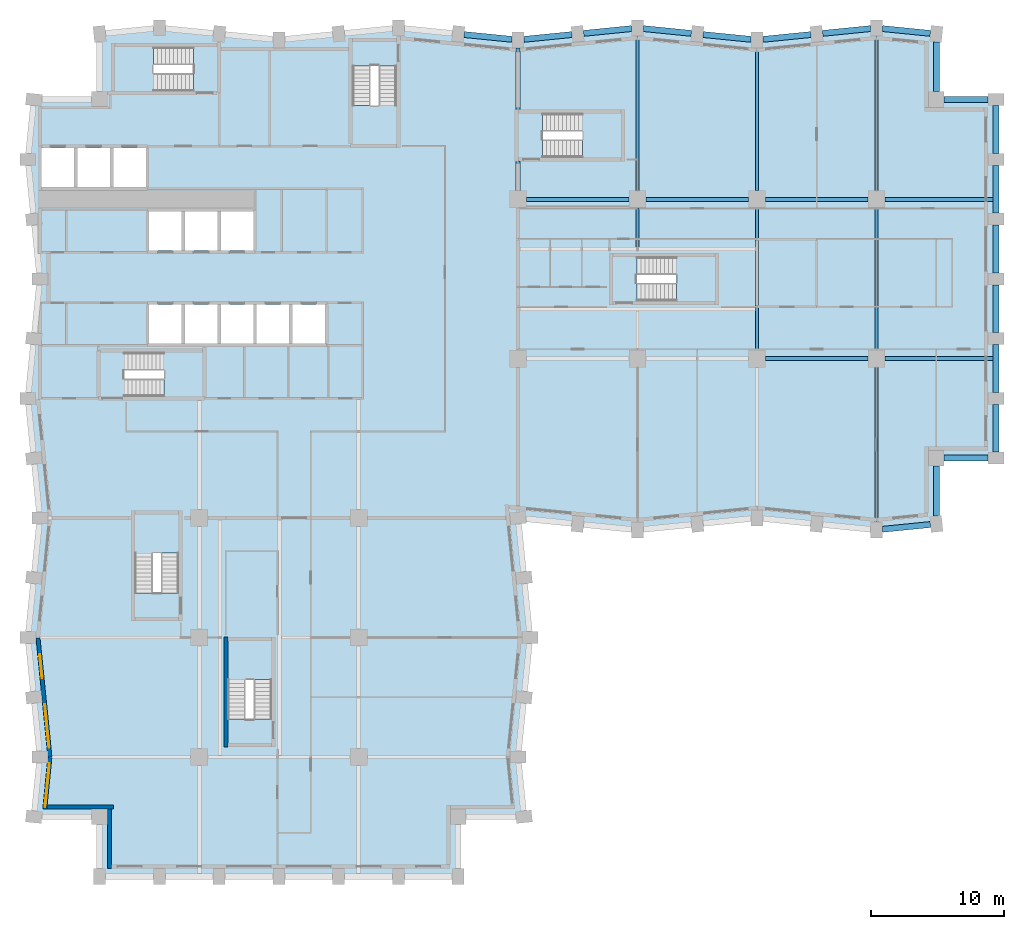
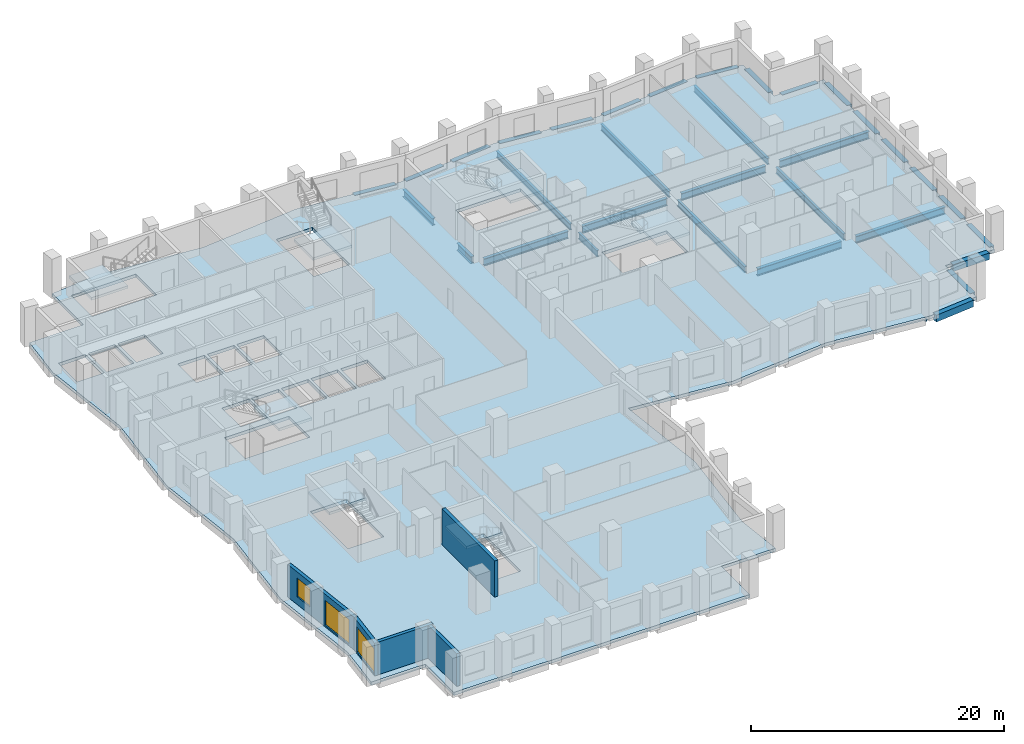
# One storey, part 2 of 11: 34 beams, 8 slabs, 5 walls, 3 windows, 3 openings, 7 elements without a shape of their own.
"""IFC4 building model written with IfcOpenShell, lengths in metres."""

from ifc_helpers import new_model, si_unit, direction, frame, frame_2d, origin, origin_2d, place, context, subcontext, project, spatial, polyline, rectangle, i_section, outline, extrude, material, layer, layer_set, material_profile, profile_set, type_object, element, fill, aggregate, save


model = new_model("IFC4")

# Units and contexts
model_context = context("Model", 3, precision=1e-05, world=origin(), true_north=direction((0.0, 1.0)))
body_context = subcontext(model_context, "Body", "Model", "MODEL_VIEW")
ifc_project = project(units=[si_unit("LENGTHUNIT", "METRE"), si_unit("AREAUNIT", "SQUARE_METRE"), si_unit("VOLUMEUNIT", "CUBIC_METRE"), si_unit("PLANEANGLEUNIT", "RADIAN"), si_unit("MASSUNIT", "GRAM", prefix="KILO")], contexts=[model_context])

# Site, building, storey
site_placement = place(None, origin())
site = spatial("IfcSite", under=ifc_project, at=site_placement, CompositionType="ELEMENT")
building_placement = place(site_placement, origin())
building = spatial("IfcBuilding", under=site, at=building_placement, Name="Brondeck Convention Tower", CompositionType="ELEMENT")
storey_placement = place(building_placement, frame((0.0, 0.0, 96.10009765625)))
storey = spatial("IfcBuildingStorey", under=building, at=storey_placement, Name="L22", CompositionType="ELEMENT", Elevation=96.10009765625)

# Beams
ifc_material_1 = material(Name="Steel S355", Category="steel")
ifc_material_profile_1 = material_profile(ifc_material_1, i_section(OverallWidth=0.219970703125, OverallDepth=0.60009765625, WebThickness=0.011962890625, FlangeThickness=0.01904296875, FilletRadius=0.02392578125, at=origin_2d()), Name="IPE 600")
ifc_profile_set_1 = profile_set([ifc_material_profile_1], Name="Steel S355")
beam_type_1 = type_object("IfcBeamType", Name="Floor beam IPE 600", PredefinedType="BEAM", material=ifc_profile_set_1)
beam_1_placement = place(storey_placement, frame((45.0, 51.64990234375, -0.60009765625), z_axis=(0.0, 1.0, 0.0), x_axis=(-1.0, 0.0, 0.0)))
element("IfcBeam", 1, at=beam_1_placement, inside=storey, type_object=beam_type_1, Name="STR-FB-L22-002", PredefinedType="BEAM", context=body_context, shape_type="SweptSolid", body=[
    extrude(i_section(OverallWidth=0.219970703125, OverallDepth=0.60009765625, WebThickness=0.011962890625, FlangeThickness=0.01904296875, FilletRadius=0.02392578125, at=origin_2d()), origin(), (0.0, 0.0, 1.0), 11.650146484375),
])
beam_2_placement = place(storey_placement, frame((54.0, 39.64990234375, -0.60009765625), z_axis=(0.0, 1.0, 0.0), x_axis=(-1.0, 0.0, 0.0)))
element("IfcBeam", 2, at=beam_2_placement, inside=storey, type_object=beam_type_1, Name="STR-FB-L22-004", PredefinedType="BEAM", context=body_context, shape_type="SweptSolid", body=[
    extrude(i_section(OverallWidth=0.219970703125, OverallDepth=0.60009765625, WebThickness=0.011962890625, FlangeThickness=0.01904296875, FilletRadius=0.02392578125, at=origin_2d()), origin(), (0.0, 0.0, 1.0), 10.7001953125),
])
beam_3_placement = place(storey_placement, frame((54.0, 51.64990234375, -0.60009765625), z_axis=(0.0, 1.0, 0.0), x_axis=(-1.0, 0.0, 0.0)))
element("IfcBeam", 3, at=beam_3_placement, inside=storey, type_object=beam_type_1, Name="STR-FB-L22-005", PredefinedType="BEAM", context=body_context, shape_type="SweptSolid", body=[
    extrude(i_section(OverallWidth=0.219970703125, OverallDepth=0.60009765625, WebThickness=0.011962890625, FlangeThickness=0.01904296875, FilletRadius=0.02392578125, at=origin_2d()), origin(), (0.0, 0.0, 1.0), 10.75),
])
beam_4_placement = place(storey_placement, frame((63.0, 26.699951171875, -0.60009765625), z_axis=(0.0, 1.0, 0.0), x_axis=(-1.0, 0.0, 0.0)))
element("IfcBeam", 4, at=beam_4_placement, inside=storey, type_object=beam_type_1, Name="STR-FB-L22-006", PredefinedType="BEAM", context=body_context, shape_type="SweptSolid", body=[
    extrude(i_section(OverallWidth=0.219970703125, OverallDepth=0.60009765625, WebThickness=0.011962890625, FlangeThickness=0.01904296875, FilletRadius=0.02392578125, at=origin_2d()), origin(), (0.0, 0.0, 1.0), 11.650146484375),
])
beam_5_placement = place(storey_placement, frame((63.0, 39.64990234375, -0.60009765625), z_axis=(0.0, 1.0, 0.0), x_axis=(-1.0, 0.0, 0.0)))
element("IfcBeam", 5, at=beam_5_placement, inside=storey, type_object=beam_type_1, Name="STR-FB-L22-007", PredefinedType="BEAM", context=body_context, shape_type="SweptSolid", body=[
    extrude(i_section(OverallWidth=0.219970703125, OverallDepth=0.60009765625, WebThickness=0.011962890625, FlangeThickness=0.01904296875, FilletRadius=0.02392578125, at=origin_2d()), origin(), (0.0, 0.0, 1.0), 10.7001953125),
])
beam_6_placement = place(storey_placement, frame((63.0, 51.64990234375, -0.60009765625), z_axis=(0.0, 1.0, 0.0), x_axis=(-1.0, 0.0, 0.0)))
element("IfcBeam", 6, at=beam_6_placement, inside=storey, type_object=beam_type_1, Name="STR-FB-L22-008", PredefinedType="BEAM", context=body_context, shape_type="SweptSolid", body=[
    extrude(i_section(OverallWidth=0.219970703125, OverallDepth=0.60009765625, WebThickness=0.011962890625, FlangeThickness=0.01904296875, FilletRadius=0.02392578125, at=origin_2d()), origin(), (0.0, 0.0, 1.0), 11.650146484375),
])
beam_7_placement = place(storey_placement, frame((45.0, 47.39990234375, -0.60009765625), z_axis=(0.0, 1.0, 0.0), x_axis=(-1.0, 0.0, 0.0)))
element("IfcBeam", 7, at=beam_7_placement, inside=storey, type_object=beam_type_1, Name="STR-FB-L22-015", PredefinedType="BEAM", context=body_context, shape_type="SweptSolid", body=[
    extrude(i_section(OverallWidth=0.219970703125, OverallDepth=0.60009765625, WebThickness=0.011962890625, FlangeThickness=0.01904296875, FilletRadius=0.02392578125, at=origin_2d()), origin(), (0.0, 0.0, 1.0), 2.9501953125),
])
ifc_material_profile_2 = material_profile(ifc_material_1, i_section(OverallWidth=0.300048828125, OverallDepth=0.699951171875, WebThickness=0.01708984375, FlangeThickness=0.031982421875, FilletRadius=0.027099609375, at=origin_2d()), Name="HEB 700")
ifc_profile_set_2 = profile_set([ifc_material_profile_2], Name="Steel S355")
beam_type_2 = type_object("IfcBeamType", Name="Girder HEB 700", PredefinedType="BEAM", material=ifc_profile_set_2)
beam_8_placement = place(storey_placement, frame((54.64990234375, 39.0, -0.650146484375), z_axis=(1.0, 0.0, 0.0), x_axis=(0.0, 1.0, 0.0)))
element("IfcBeam", 8, at=beam_8_placement, inside=storey, type_object=beam_type_2, Name="STR-GR-L22-003", PredefinedType="BEAM", context=body_context, shape_type="SweptSolid", body=[
    extrude(i_section(OverallWidth=0.300048828125, OverallDepth=0.699951171875, WebThickness=0.01708984375, FlangeThickness=0.031982421875, FilletRadius=0.027099609375, at=origin_2d()), origin(), (0.0, 0.0, 1.0), 7.7001953125),
])
beam_9_placement = place(storey_placement, frame((63.64990234375, 39.0, -0.650146484375), z_axis=(1.0, 0.0, 0.0), x_axis=(0.0, 1.0, 0.0)))
element("IfcBeam", 9, at=beam_9_placement, inside=storey, type_object=beam_type_2, Name="STR-GR-L22-004", PredefinedType="BEAM", context=body_context, shape_type="SweptSolid", body=[
    extrude(i_section(OverallWidth=0.300048828125, OverallDepth=0.699951171875, WebThickness=0.01708984375, FlangeThickness=0.031982421875, FilletRadius=0.027099609375, at=origin_2d()), origin(), (0.0, 0.0, 1.0), 8.125),
])
for number, where, z_axis, x_axis, name in (
    (10, (36.64990234375, 51.0, -0.650146484375), (1.0, 0.0, 0.0), (0.0, 1.0, 0.0), "STR-GR-L22-005"),
    (11, (45.64990234375, 51.0, -0.650146484375), (1.0, 0.0, 0.0), (0.0, 1.0, 0.0), "STR-GR-L22-006"),
    (12, (54.64990234375, 51.0, -0.650146484375), (1.0, 0.0, 0.0), (0.0, 1.0, 0.0), "STR-GR-L22-007"),
):
    element("IfcBeam", number, at=place(storey_placement, frame(where, z_axis=z_axis, x_axis=x_axis)), inside=storey, type_object=beam_type_2, Name=name, PredefinedType="BEAM", context=body_context, shape_type="SweptSolid", body=[
        extrude(i_section(OverallWidth=0.300048828125, OverallDepth=0.699951171875, WebThickness=0.01708984375, FlangeThickness=0.031982421875, FilletRadius=0.027099609375, at=origin_2d()), origin(), (0.0, 0.0, 1.0), 7.7001953125),
    ])
beam_10_placement = place(storey_placement, frame((63.64990234375, 51.0, -0.650146484375), z_axis=(1.0, 0.0, 0.0), x_axis=(0.0, 1.0, 0.0)))
element("IfcBeam", 13, at=beam_10_placement, inside=storey, type_object=beam_type_2, Name="STR-GR-L22-008", PredefinedType="BEAM", context=body_context, shape_type="SweptSolid", body=[
    extrude(i_section(OverallWidth=0.300048828125, OverallDepth=0.699951171875, WebThickness=0.01708984375, FlangeThickness=0.031982421875, FilletRadius=0.027099609375, at=origin_2d()), origin(), (0.0, 0.0, 1.0), 8.125),
])
beam_11_placement = place(storey_placement, frame((36.0, 51.64990234375, -0.650146484375), z_axis=(0.0, 1.0, 0.0), x_axis=(-1.0, 0.0, 0.0)))
element("IfcBeam", 14, at=beam_11_placement, inside=storey, type_object=beam_type_2, Name="STR-GR-L22-011", PredefinedType="BEAM", context=body_context, shape_type="SweptSolid", body=[
    extrude(i_section(OverallWidth=0.300048828125, OverallDepth=0.699951171875, WebThickness=0.01708984375, FlangeThickness=0.031982421875, FilletRadius=0.027099609375, at=origin_2d()), origin(), (0.0, 0.0, 1.0), 2.22998046875),
])
beam_12_placement = place(storey_placement, frame((36.0, 57.719970703125, -0.650146484375), z_axis=(0.0, 1.0, 0.0), x_axis=(-1.0, 0.0, 0.0)))
element("IfcBeam", 15, at=beam_12_placement, inside=storey, type_object=beam_type_2, Name="STR-GR-L22-012", PredefinedType="BEAM", context=body_context, shape_type="SweptSolid", body=[
    extrude(i_section(OverallWidth=0.300048828125, OverallDepth=0.699951171875, WebThickness=0.01708984375, FlangeThickness=0.031982421875, FilletRadius=0.027099609375, at=origin_2d()), origin(), (0.0, 0.0, 1.0), 4.679931640625),
])
ifc_material_2 = material(Name="Concrete C70/85", Category="concrete")
ifc_material_profile_3 = material_profile(ifc_material_2, rectangle(XDim=0.449951171875, YDim=0.64990234375, at=origin_2d()), Name="Precast spandrel 450x650 Concrete C70/85")
ifc_profile_set_3 = profile_set([ifc_material_profile_3], Name="Concrete C70/85")
beam_type_3 = type_object("IfcBeamType", Name="Precast spandrel 450x650 Concrete C70/85", PredefinedType="SPANDREL", material=ifc_profile_set_3)
beam_13_placement = place(storey_placement, frame((63.449951171875, 26.14501953125, -0.3251953125), z_axis=(0.995040528141, 0.099470334057, 0.0), x_axis=(-0.099470334057, 0.995040528141, 0.0)))
element("IfcBeam", 16, at=beam_13_placement, inside=storey, type_object=beam_type_3, Name="STR-SP-L22-020", PredefinedType="SPANDREL", context=body_context, shape_type="SweptSolid", body=[
    extrude(rectangle(XDim=0.449951171875, YDim=0.64990234375, at=origin_2d()), origin(), (0.0, 0.0, 1.0), 3.620361328125),
])
beam_14_placement = place(storey_placement, frame((67.5, 27.153076171875, -0.3251953125), z_axis=(0.0, 1.0, 0.0), x_axis=(-1.0, 0.0, 0.0)))
element("IfcBeam", 17, at=beam_14_placement, inside=storey, type_object=beam_type_3, Name="STR-SP-L22-021", PredefinedType="SPANDREL", context=body_context, shape_type="SweptSolid", body=[
    extrude(rectangle(XDim=0.449951171875, YDim=0.64990234375, at=origin_2d()), origin(), (0.0, 0.0, 1.0), 3.746826171875),
])
beam_15_placement = place(storey_placement, frame((68.10009765625, 31.5, -0.3251953125), z_axis=(1.0, 0.0, 0.0), x_axis=(0.0, 1.0, 0.0)))
element("IfcBeam", 18, at=beam_15_placement, inside=storey, type_object=beam_type_3, Name="STR-SP-L22-022", PredefinedType="SPANDREL", context=body_context, shape_type="SweptSolid", body=[
    extrude(rectangle(XDim=0.449951171875, YDim=0.64990234375, at=origin_2d()), origin(), (0.0, 0.0, 1.0), 3.2998046875),
])
for number, where, z_axis, x_axis, name in (
    (19, (72.0, 31.949951171875, -0.3251953125), (0.0, 1.0, 0.0), (-1.0, 0.0, 0.0), "STR-SP-L22-023"),
    (20, (72.0, 36.449951171875, -0.3251953125), (0.0, 1.0, 0.0), (-1.0, 0.0, 0.0), "STR-SP-L22-024"),
    (21, (72.0, 40.949951171875, -0.3251953125), (0.0, 1.0, 0.0), (-1.0, 0.0, 0.0), "STR-SP-L22-025"),
    (22, (72.0, 45.449951171875, -0.3251953125), (0.0, 1.0, 0.0), (-1.0, 0.0, 0.0), "STR-SP-L22-026"),
    (23, (72.0, 49.949951171875, -0.3251953125), (0.0, 1.0, 0.0), (-1.0, 0.0, 0.0), "STR-SP-L22-027"),
    (24, (72.0, 54.449951171875, -0.3251953125), (0.0, 1.0, 0.0), (-1.0, 0.0, 0.0), "STR-SP-L22-028"),
):
    element("IfcBeam", number, at=place(storey_placement, frame(where, z_axis=z_axis, x_axis=x_axis)), inside=storey, type_object=beam_type_3, Name=name, PredefinedType="SPANDREL", context=body_context, shape_type="SweptSolid", body=[
        extrude(rectangle(XDim=0.449951171875, YDim=0.64990234375, at=origin_2d()), origin(), (0.0, 0.0, 1.0), 3.60009765625),
    ])
beam_16_placement = place(storey_placement, frame((71.39990234375, 58.5, -0.3251953125), z_axis=(-1.0, 0.0, 0.0), x_axis=(0.0, -1.0, 0.0)))
element("IfcBeam", 25, at=beam_16_placement, inside=storey, type_object=beam_type_3, Name="STR-SP-L22-029", PredefinedType="SPANDREL", context=body_context, shape_type="SweptSolid", body=[
    extrude(rectangle(XDim=0.449951171875, YDim=0.64990234375, at=origin_2d()), origin(), (0.0, 0.0, 1.0), 3.2998046875),
])
beam_17_placement = place(storey_placement, frame((67.5, 59.10009765625, -0.3251953125), z_axis=(0.0, 1.0, 0.0), x_axis=(-1.0, 0.0, 0.0)))
element("IfcBeam", 26, at=beam_17_placement, inside=storey, type_object=beam_type_3, Name="STR-SP-L22-030", PredefinedType="SPANDREL", context=body_context, shape_type="SweptSolid", body=[
    extrude(rectangle(XDim=0.449951171875, YDim=0.64990234375, at=origin_2d()), origin(), (0.0, 0.0, 1.0), 3.746826171875),
])
for number, where, z_axis, x_axis, name in (
    (27, (67.05224609375, 63.494873046875, -0.3251953125), (-0.995040528141, 0.099470334057, 0.0), (-0.099470334057, -0.995040528141, 0.0), "STR-SP-L22-031"),
    (28, (62.550048828125, 63.85498046875, -0.3251953125), (-0.995040528141, -0.099470334057, 0.0), (0.099470334057, -0.995040528141, 0.0), "STR-SP-L22-032"),
    (29, (58.05224609375, 63.4052734375, -0.3251953125), (-0.995033851182, -0.099537103649, 0.0), (0.099537103649, -0.995033851182, 0.0), "STR-SP-L22-033"),
    (30, (53.550048828125, 63.044921875, -0.3251953125), (-0.995033851182, 0.099537103649, 0.0), (-0.099537103649, -0.995033851182, 0.0), "STR-SP-L22-034"),
    (31, (49.05224609375, 63.494873046875, -0.3251953125), (-0.995040528141, 0.099470334057, 0.0), (-0.099470334057, -0.995040528141, 0.0), "STR-SP-L22-035"),
    (32, (44.550048828125, 63.85498046875, -0.3251953125), (-0.995040528141, -0.099470334057, 0.0), (0.099470334057, -0.995040528141, 0.0), "STR-SP-L22-036"),
    (33, (40.05224609375, 63.4052734375, -0.3251953125), (-0.995033851182, -0.099537103649, 0.0), (0.099537103649, -0.995033851182, 0.0), "STR-SP-L22-037"),
    (34, (35.550048828125, 63.044921875, -0.3251953125), (-0.995033851182, 0.099537103649, 0.0), (-0.099537103649, -0.995033851182, 0.0), "STR-SP-L22-038"),
):
    element("IfcBeam", number, at=place(storey_placement, frame(where, z_axis=z_axis, x_axis=x_axis)), inside=storey, type_object=beam_type_3, Name=name, PredefinedType="SPANDREL", context=body_context, shape_type="SweptSolid", body=[
        extrude(rectangle(XDim=0.449951171875, YDim=0.64990234375, at=origin_2d()), origin(), (0.0, 0.0, 1.0), 3.620361328125),
    ])

# Slab
ifc_material_3 = material(Name="Concrete C35/45", Category="concrete")
ifc_layer_1 = layer(ifc_material_3, 0.300048828125)
ifc_layer_set_1 = layer_set([ifc_layer_1], Name="Composite floor slab 300")
slab_type_1 = type_object("IfcSlabType", Name="Composite floor slab 300", PredefinedType="FLOOR", material=ifc_layer_set_1)
slab_1_placement = place(storey_placement, frame((0.0, 0.0, -0.300048828125)))
element("IfcSlab", 35, at=slab_1_placement, inside=storey, type_object=slab_type_1, Name="STR-SL-L22", PredefinedType="FLOOR", context=body_context, shape_type="SweptSolid", body=[
    extrude(outline(polyline([(4.5, 4.5), (-0.449951171875, 4.5), (0.0, 9.0), (-0.89990234375, 18.0), (0.0, 27.0), (-0.89990234375, 36.0), (0.0, 45.0), (-0.89990234375, 54.0), (-0.449951171875, 58.5), (4.5, 58.5), (4.5, 63.449951171875), (9.0, 63.89990234375), (18.0, 63.0), (27.0, 63.89990234375), (36.0, 63.0), (45.0, 63.89990234375), (54.0, 63.0), (63.0, 63.89990234375), (67.5, 63.449951171875), (67.5, 58.5), (72.0, 58.5), (72.0, 31.5), (67.5, 31.5), (67.5, 26.550048828125), (63.0, 26.10009765625), (54.0, 27.0), (45.0, 26.10009765625), (36.0, 27.0), (36.89990234375, 18.0), (36.0, 9.0), (36.449951171875, 4.5), (31.5, 4.5), (31.5, 0.0), (4.5, 0.0), (4.5, 4.5)]), holes=[polyline([(10.447998046875, 27.248046875), (7.152099609375, 27.248046875), (7.152099609375, 21.35205078125), (10.447998046875, 21.35205078125), (10.447998046875, 27.248046875)]), polyline([(12.248046875, 36.152099609375), (12.248046875, 39.447998046875), (6.35205078125, 39.447998046875), (6.35205078125, 36.152099609375), (12.248046875, 36.152099609375)]), polyline([(10.675048828125, 40.125), (10.675048828125, 43.074951171875), (8.22509765625, 43.074951171875), (8.22509765625, 40.125), (10.675048828125, 40.125)]), polyline([(10.675048828125, 47.125), (10.675048828125, 50.074951171875), (8.22509765625, 50.074951171875), (8.22509765625, 47.125), (10.675048828125, 47.125)]), polyline([(13.375, 47.125), (13.375, 50.074951171875), (10.925048828125, 50.074951171875), (10.925048828125, 47.125), (13.375, 47.125)]), polyline([(2.574951171875, 51.925048828125), (2.574951171875, 54.875), (0.125, 54.875), (0.125, 51.925048828125), (2.574951171875, 51.925048828125)]), polyline([(5.27490234375, 51.925048828125), (5.27490234375, 54.875), (2.824951171875, 54.875), (2.824951171875, 51.925048828125), (5.27490234375, 51.925048828125)]), polyline([(5.52490234375, 51.925048828125), (7.97509765625, 51.925048828125), (7.97509765625, 54.875), (5.52490234375, 54.875), (5.52490234375, 51.925048828125)]), polyline([(11.548095703125, 62.447998046875), (5.652099609375, 62.447998046875), (5.652099609375, 59.152099609375), (11.548095703125, 59.152099609375), (11.548095703125, 62.447998046875)]), polyline([(17.447998046875, 17.748046875), (14.152099609375, 17.748046875), (14.152099609375, 11.85205078125), (17.447998046875, 11.85205078125), (17.447998046875, 17.748046875)]), polyline([(13.375, 40.125), (13.375, 43.074951171875), (10.925048828125, 43.074951171875), (10.925048828125, 40.125), (13.375, 40.125)]), polyline([(16.074951171875, 40.125), (16.074951171875, 43.074951171875), (13.625, 43.074951171875), (13.625, 40.125), (16.074951171875, 40.125)]), polyline([(18.77490234375, 40.125), (18.77490234375, 43.074951171875), (16.324951171875, 43.074951171875), (16.324951171875, 40.125), (18.77490234375, 40.125)]), polyline([(21.47509765625, 40.125), (21.47509765625, 43.074951171875), (19.02490234375, 43.074951171875), (19.02490234375, 40.125), (21.47509765625, 40.125)]), polyline([(50.847900390625, 43.35205078125), (50.847900390625, 46.64794921875), (44.951904296875, 46.64794921875), (44.951904296875, 43.35205078125), (50.847900390625, 43.35205078125)]), polyline([(16.074951171875, 47.125), (16.074951171875, 50.074951171875), (13.625, 50.074951171875), (13.625, 47.125), (16.074951171875, 47.125)]), polyline([(37.85205078125, 54.152099609375), (43.748046875, 54.152099609375), (43.748046875, 57.447998046875), (37.85205078125, 57.447998046875), (37.85205078125, 54.152099609375)]), polyline([(23.552001953125, 61.048095703125), (23.552001953125, 55.152099609375), (26.847900390625, 55.152099609375), (26.847900390625, 61.048095703125), (23.552001953125, 61.048095703125)])]), origin(), (0.0, 0.0, 1.0), 0.300048828125),
])

# Stair, slab
ifc_material_4 = material(Name="Precast concrete C50/60", Category="concrete")
stair_type = type_object("IfcStairType", Name="Core stair 22 risers 172.73 mm riser 300 mm going 1350 wide", PredefinedType="HALF_TURN_STAIR", material=ifc_material_4)
stair_1_placement = place(storey_placement, origin())
stair_1 = element("IfcStair", 36, at=stair_1_placement, inside=storey, type_object=stair_type, Name="ST-1 L22 stair", PredefinedType="HALF_TURN_STAIR")
ifc_layer_2 = layer(ifc_material_4, 0.25)
ifc_layer_set_2 = layer_set([ifc_layer_2], Name="Core stair landing 250 Precast concrete C50/60")
slab_type_2 = type_object("IfcSlabType", Name="Core stair landing 250 Precast concrete C50/60", PredefinedType="LANDING", material=ifc_layer_set_2)
slab_2_placement = place(storey_placement, frame((0.0, 0.0, 1.64990234375)))
slab_2 = element("IfcSlab", 37, at=slab_2_placement, type_object=slab_type_2, Name="ST-1 landing 1", PredefinedType="LANDING", context=body_context, shape_type="SweptSolid", body=[
    extrude(outline(polyline([(9.347900390625, 37.5), (9.35009765625, 37.5), (9.35009765625, 38.10009765625), (9.050048828125, 38.10009765625), (9.050048828125, 39.570068359375), (12.3701171875, 39.570068359375), (12.3701171875, 36.030029296875), (9.347900390625, 36.030029296875), (9.347900390625, 37.5)])), origin(), (0.0, 0.0, 1.0), 0.25),
])
aggregate(stair_1, [slab_2])

stair_2_placement = place(storey_placement, origin())
stair_2 = element("IfcStair", 38, at=stair_2_placement, inside=storey, type_object=stair_type, Name="ST-2 L22 stair", PredefinedType="HALF_TURN_STAIR")
slab_3_placement = place(storey_placement, frame((0.0, 0.0, 1.64990234375)))
slab_3 = element("IfcSlab", 39, at=slab_3_placement, type_object=slab_type_2, Name="ST-2 landing 1", PredefinedType="LANDING", context=body_context, shape_type="SweptSolid", body=[
    extrude(outline(polyline([(23.429931640625, 58.052001953125), (24.89990234375, 58.052001953125), (24.89990234375, 58.050048828125), (25.5, 58.050048828125), (25.5, 58.35009765625), (26.969970703125, 58.35009765625), (26.969970703125, 55.030029296875), (23.429931640625, 55.030029296875), (23.429931640625, 58.052001953125)])), origin(), (0.0, 0.0, 1.0), 0.25),
])
aggregate(stair_2, [slab_3])

stair_3_placement = place(storey_placement, origin())
stair_3 = element("IfcStair", 40, at=stair_3_placement, inside=storey, type_object=stair_type, Name="ST-3 L22 stair", PredefinedType="HALF_TURN_STAIR")
slab_4_placement = place(storey_placement, frame((0.0, 0.0, 1.64990234375)))
slab_4 = element("IfcSlab", 41, at=slab_4_placement, type_object=slab_type_2, Name="ST-3 landing 1", PredefinedType="LANDING", context=body_context, shape_type="SweptSolid", body=[
    extrude(outline(polyline([(8.85009765625, 60.5), (8.85009765625, 59.030029296875), (5.530029296875, 59.030029296875), (5.530029296875, 62.570068359375), (8.552001953125, 62.570068359375), (8.552001953125, 61.10009765625), (8.550048828125, 61.10009765625), (8.550048828125, 60.5), (8.85009765625, 60.5)])), origin(), (0.0, 0.0, 1.0), 0.25),
])
aggregate(stair_3, [slab_4])

stair_4_placement = place(storey_placement, origin())
stair_4 = element("IfcStair", 42, at=stair_4_placement, inside=storey, type_object=stair_type, Name="ST-AE L22 stair", PredefinedType="HALF_TURN_STAIR")
slab_5_placement = place(storey_placement, frame((0.0, 0.0, 1.64990234375)))
slab_5 = element("IfcSlab", 43, at=slab_5_placement, type_object=slab_type_2, Name="ST-AE landing 1", PredefinedType="LANDING", context=body_context, shape_type="SweptSolid", body=[
    extrude(outline(polyline([(40.847900390625, 55.5), (40.85009765625, 55.5), (40.85009765625, 56.10009765625), (40.550048828125, 56.10009765625), (40.550048828125, 57.570068359375), (43.8701171875, 57.570068359375), (43.8701171875, 54.030029296875), (40.847900390625, 54.030029296875), (40.847900390625, 55.5)])), origin(), (0.0, 0.0, 1.0), 0.25),
])
aggregate(stair_4, [slab_5])

stair_5_placement = place(storey_placement, origin())
stair_5 = element("IfcStair", 44, at=stair_5_placement, inside=storey, type_object=stair_type, Name="ST-BE L22 stair", PredefinedType="HALF_TURN_STAIR")
slab_6_placement = place(storey_placement, frame((0.0, 0.0, 1.64990234375)))
slab_6 = element("IfcSlab", 45, at=slab_6_placement, type_object=slab_type_2, Name="ST-BE landing 1", PredefinedType="LANDING", context=body_context, shape_type="SweptSolid", body=[
    extrude(outline(polyline([(7.030029296875, 24.050048828125), (7.030029296875, 27.3701171875), (10.570068359375, 27.3701171875), (10.570068359375, 24.347900390625), (9.10009765625, 24.347900390625), (9.10009765625, 24.35009765625), (8.5, 24.35009765625), (8.5, 24.050048828125), (7.030029296875, 24.050048828125)])), origin(), (0.0, 0.0, 1.0), 0.25),
])
aggregate(stair_5, [slab_6])

stair_6_placement = place(storey_placement, origin())
stair_6 = element("IfcStair", 46, at=stair_6_placement, inside=storey, type_object=stair_type, Name="ST-AF L22 stair", PredefinedType="HALF_TURN_STAIR")
slab_7_placement = place(storey_placement, frame((0.0, 0.0, 1.64990234375)))
slab_7 = element("IfcSlab", 47, at=slab_7_placement, type_object=slab_type_2, Name="ST-AF landing 1", PredefinedType="LANDING", context=body_context, shape_type="SweptSolid", body=[
    extrude(outline(polyline([(47.947998046875, 44.699951171875), (47.949951171875, 44.699951171875), (47.949951171875, 45.300048828125), (47.64990234375, 45.300048828125), (47.64990234375, 46.77001953125), (50.969970703125, 46.77001953125), (50.969970703125, 43.22998046875), (47.947998046875, 43.22998046875), (47.947998046875, 44.699951171875)])), origin(), (0.0, 0.0, 1.0), 0.25),
])
aggregate(stair_6, [slab_7])

stair_7_placement = place(storey_placement, origin())
stair_7 = element("IfcStair", 48, at=stair_7_placement, inside=storey, type_object=stair_type, Name="ST-BF L22 stair", PredefinedType="HALF_TURN_STAIR")
slab_8_placement = place(storey_placement, frame((0.0, 0.0, 1.64990234375)))
slab_8 = element("IfcSlab", 49, at=slab_8_placement, type_object=slab_type_2, Name="ST-BF landing 1", PredefinedType="LANDING", context=body_context, shape_type="SweptSolid", body=[
    extrude(outline(polyline([(14.030029296875, 14.550048828125), (14.030029296875, 17.8701171875), (17.570068359375, 17.8701171875), (17.570068359375, 14.847900390625), (16.10009765625, 14.847900390625), (16.10009765625, 14.85009765625), (15.5, 14.85009765625), (15.5, 14.550048828125), (14.030029296875, 14.550048828125)])), origin(), (0.0, 0.0, 1.0), 0.25),
])
aggregate(stair_7, [slab_8])

# Wall, openings, windows
ifc_material_5 = material(Name="Precast concrete C50/60 bronze finish", Category="concrete")
ifc_layer_3 = layer(ifc_material_5, 0.070068359375, Name="Bronze precast facing")
ifc_material_6 = material(Name="Mineral wool")
ifc_layer_4 = layer(ifc_material_6, 0.159912109375, Name="Insulation")
ifc_layer_5 = layer(ifc_material_3, 0.070068359375, Name="Backing")
ifc_layer_set_3 = layer_set([ifc_layer_3, ifc_layer_4, ifc_layer_5], Name="External infill wall, precast concrete C50/60 bronze facing")
wall_type_1 = type_object("IfcWallType", Name="External infill wall, precast concrete C50/60 bronze facing", PredefinedType="SOLIDWALL", material=ifc_layer_set_3)
wall_1_placement = place(storey_placement, frame((0.755126953125, 8.985107421875, 0.0), z_axis=(0.0, 0.0, 1.0), x_axis=(-0.099495688264, 0.995037993253, 0.0)))
wall_1 = element("IfcWall", 50, at=wall_1_placement, inside=storey, type_object=wall_type_1, Name="ENV-EW-L22-P0-B-W-10", PredefinedType="SOLIDWALL", context=body_context, shape_type="SweptSolid", body=[
    extrude(rectangle(XDim=9.030029296875, YDim=0.300048828125, at=frame_2d((4.51513671875, 0.0))), origin(), (0.0, 0.0, 1.0), 3.14990234375),
])
opening_1_placement = place(wall_1_placement, frame((0.701171875, 0.0, 0.14990234375)))
opening_1 = element("IfcOpeningElement", 51, at=opening_1_placement, cuts=wall_1, Name="Opening W9", PredefinedType="OPENING", context=body_context, shape_type="SweptSolid", body=[
    extrude(rectangle(XDim=3.300048828125, YDim=2.39990234375, at=frame_2d((1.64990234375, 1.199951171875))), frame((0.0, 0.159912109375, 0.0), z_axis=(0.0, -1.0, 0.0), x_axis=(1.0, 0.0, 0.0)), (0.0, 0.0, 1.0), 0.320068359375),
])
opening_2_placement = place(wall_1_placement, frame((5.9736328125, 0.0, 0.75)))
opening_2 = element("IfcOpeningElement", 52, at=opening_2_placement, cuts=wall_1, Name="Opening W10", PredefinedType="OPENING", context=body_context, shape_type="SweptSolid", body=[
    extrude(rectangle(XDim=1.800048828125, YDim=1.800048828125, at=frame_2d((0.89990234375, 0.89990234375))), frame((0.0, 0.159912109375, 0.0), z_axis=(0.0, -1.0, 0.0), x_axis=(1.0, 0.0, 0.0)), (0.0, 0.0, 1.0), 0.320068359375),
])
ifc_material_7 = material(Name="Bronze tinted double glazing", Category="glass")
window_type_1 = type_object("IfcWindowType", Name="Glazed flute window, bronze tinted", PartitioningType="SINGLE_PANEL", PredefinedType="WINDOW", material=ifc_material_7)
window_1_placement = place(opening_1_placement, origin())
window_1 = element("IfcWindow", 53, at=window_1_placement, inside=storey, type_object=window_type_1, Name="ENV-WN-L22-P0-B-W-11", OverallHeight=2.39990234375, OverallWidth=3.300048828125, PartitioningType="SINGLE_PANEL", PredefinedType="WINDOW", context=body_context, shape_type="SweptSolid", body=[
    extrude(rectangle(XDim=3.300048828125, YDim=2.39990234375, at=frame_2d((1.64990234375, 1.199951171875))), frame((0.0, 0.030029296875, 0.0), z_axis=(0.0, -1.0, 0.0), x_axis=(1.0, 0.0, 0.0)), (0.0, 0.0, 1.0), 0.06005859375),
])
fill(opening_1, window_1)
window_type_2 = type_object("IfcWindowType", Name="Punched window, bronze tinted", PartitioningType="SINGLE_PANEL", PredefinedType="WINDOW", material=ifc_material_7)
window_2_placement = place(opening_2_placement, origin())
window_2 = element("IfcWindow", 54, at=window_2_placement, inside=storey, type_object=window_type_2, Name="ENV-WN-L22-P0-B-W-10", OverallHeight=1.800048828125, OverallWidth=1.800048828125, PartitioningType="SINGLE_PANEL", PredefinedType="WINDOW", context=body_context, shape_type="SweptSolid", body=[
    extrude(rectangle(XDim=1.800048828125, YDim=1.800048828125, at=frame_2d((0.89990234375, 0.89990234375))), frame((0.0, 0.030029296875, 0.0), z_axis=(0.0, -1.0, 0.0), x_axis=(1.0, 0.0, 0.0)), (0.0, 0.0, 1.0), 0.06005859375),
])
fill(opening_2, window_2)

# Wall, opening, window
wall_2_placement = place(storey_placement, frame((0.3623046875, 5.085205078125, 0.0), z_axis=(0.0, 0.0, 1.0), x_axis=(0.099485145752, 0.995039047362, 0.0)))
wall_2 = element("IfcWall", 55, at=wall_2_placement, inside=storey, type_object=wall_type_1, Name="ENV-EW-L22-P0-B-W-12", PredefinedType="SOLIDWALL", context=body_context, shape_type="SweptSolid", body=[
    extrude(rectangle(XDim=3.904296875, YDim=0.300048828125, at=frame_2d((1.9521484375, 0.0))), origin(), (0.0, 0.0, 1.0), 3.14990234375),
])
opening_3_placement = place(wall_2_placement, frame((0.14990234375, 0.0, 0.14990234375)))
opening_3 = element("IfcOpeningElement", 56, at=opening_3_placement, cuts=wall_2, Name="Opening W9", PredefinedType="OPENING", context=body_context, shape_type="SweptSolid", body=[
    extrude(rectangle(XDim=3.300048828125, YDim=2.39990234375, at=frame_2d((1.64990234375, 1.199951171875))), frame((0.0, 0.159912109375, 0.0), z_axis=(0.0, -1.0, 0.0), x_axis=(1.0, 0.0, 0.0)), (0.0, 0.0, 1.0), 0.320068359375),
])
window_3_placement = place(opening_3_placement, origin())
window_3 = element("IfcWindow", 57, at=window_3_placement, inside=storey, type_object=window_type_1, Name="ENV-WN-L22-P0-B-W-12", OverallHeight=2.39990234375, OverallWidth=3.300048828125, PartitioningType="SINGLE_PANEL", PredefinedType="WINDOW", context=body_context, shape_type="SweptSolid", body=[
    extrude(rectangle(XDim=3.300048828125, YDim=2.39990234375, at=frame_2d((1.64990234375, 1.199951171875))), frame((0.0, 0.030029296875, 0.0), z_axis=(0.0, -1.0, 0.0), x_axis=(1.0, 0.0, 0.0)), (0.0, 0.0, 1.0), 0.06005859375),
])
fill(opening_3, window_3)

# Walls
wall_3_placement = place(storey_placement, frame((5.550048828125, 5.25, 0.0), z_axis=(0.0, 0.0, 1.0), x_axis=(-1.0, 0.0, 0.0)))
element("IfcWall", 58, at=wall_3_placement, inside=storey, type_object=wall_type_1, Name="ENV-EW-L22-P0-NC-SWB0-01", PredefinedType="SOLIDWALL", context=body_context, shape_type="SweptSolid", body=[
    extrude(rectangle(XDim=5.015380859375, YDim=0.300048828125, at=frame_2d((2.5078125, 0.0))), origin(), (0.0, 0.0, 1.0), 3.14990234375),
])
wall_4_placement = place(storey_placement, frame((5.25, 0.60009765625, 0.0), z_axis=(0.0, 0.0, 1.0), x_axis=(0.0, 1.0, 0.0)))
element("IfcWall", 59, at=wall_4_placement, inside=storey, type_object=wall_type_1, Name="ENV-EW-L22-P0-NC-SWB0-02", PredefinedType="SOLIDWALL", context=body_context, shape_type="SweptSolid", body=[
    extrude(rectangle(XDim=4.5, YDim=0.300048828125, at=frame_2d((2.25, 0.0))), origin(), (0.0, 0.0, 1.0), 3.14990234375),
])
ifc_layer_6 = layer(ifc_material_2, 0.300048828125)
ifc_layer_set_4 = layer_set([ifc_layer_6], Name="Stair enclosure wall 300 Concrete C70/85")
wall_type_2 = type_object("IfcWallType", Name="Stair enclosure wall 300 Concrete C70/85", PredefinedType="SHEAR", material=ifc_layer_set_4)
wall_5_placement = place(storey_placement, frame((14.0, 9.75, 0.0), z_axis=(0.0, 0.0, 1.0), x_axis=(0.0, 1.0, 0.0)))
element("IfcWall", 60, at=wall_5_placement, inside=storey, type_object=wall_type_2, Name="L22 core wall", PredefinedType="SHEAR", context=body_context, shape_type="SweptSolid", body=[
    extrude(rectangle(XDim=8.300048828125, YDim=0.300048828125, at=frame_2d((4.14990234375, 0.0))), origin(), (0.0, 0.0, 1.0), 3.5),
])

save(model, "model.ifc")
